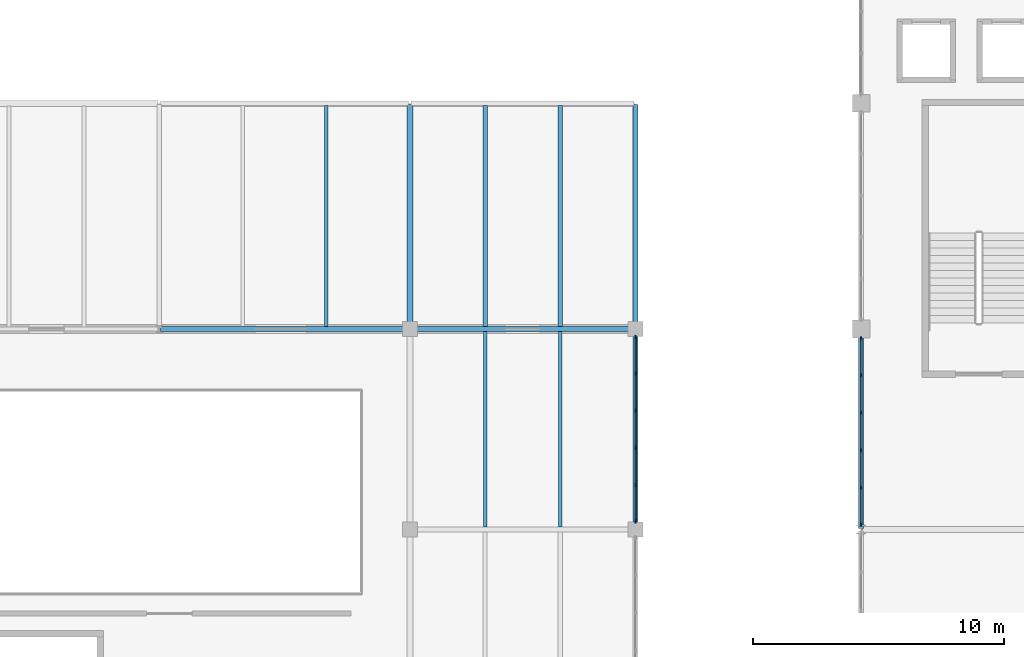
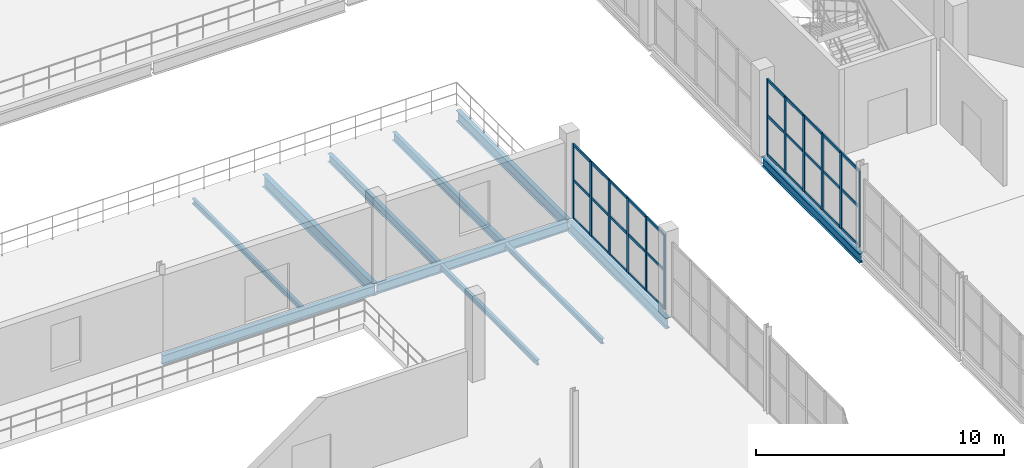
# One storey, part 19 of 73: 42 members, 11 beams, 2 elements without a shape of their own.
"""IFC4 building model written with IfcOpenShell, lengths in metres."""

from ifc_helpers import new_model, si_unit, direction, frame, origin, origin_2d, place, context, subcontext, project, spatial, rectangle, i_section, extrude, material, layer, layer_set, material_profile, profile_set, type_object, element, aggregate, save


model = new_model("IFC4")

# Units and contexts
model_context = context("Model", 3, precision=1e-05, world=origin(), true_north=direction((0.0, 1.0)))
body_context = subcontext(model_context, "Body", "Model", "MODEL_VIEW")
ifc_project = project(units=[si_unit("LENGTHUNIT", "METRE"), si_unit("AREAUNIT", "SQUARE_METRE"), si_unit("VOLUMEUNIT", "CUBIC_METRE"), si_unit("PLANEANGLEUNIT", "RADIAN"), si_unit("MASSUNIT", "GRAM", prefix="KILO")], contexts=[model_context])

# Site, building, storey
site_placement = place(None, origin())
site = spatial("IfcSite", under=ifc_project, at=site_placement, CompositionType="ELEMENT")
building_placement = place(site_placement, origin())
building = spatial("IfcBuilding", under=site, at=building_placement, Name="Marnock Terrace Opera House", CompositionType="ELEMENT")
storey_placement = place(building_placement, frame((0.0, 0.0, 14.699951171875)))
storey = spatial("IfcBuildingStorey", under=building, at=storey_placement, Name="L03", CompositionType="ELEMENT", Elevation=14.699951171875)

# Beams
ifc_material_1 = material(Name="Steel Grade 350 (AS/NZS 3679.1)", Category="steel")
ifc_material_profile_1 = material_profile(ifc_material_1, i_section(OverallWidth=0.19091796875, OverallDepth=0.46044921875, WebThickness=0.010009765625, FlangeThickness=0.01611328125, FilletRadius=0.011474609375, at=origin_2d()))
ifc_profile_set_1 = profile_set([ifc_material_profile_1], Name="Steel Grade 350 (AS/NZS 3679.1)")
beam_type_1 = type_object("IfcBeamType", Name="BM-GIRD-460A", PredefinedType="BEAM", material=ifc_profile_set_1)
beam_1_placement = place(storey_placement, frame((27.050048828125, 48.0, -0.500244140625), z_axis=(1.0, 0.0, 0.0), x_axis=(0.0, 1.0, 0.0)))
element("IfcBeam", 1, at=beam_1_placement, inside=storey, type_object=beam_type_1, Name="L03 girder (27.0..37.0, Y=48.0)", PredefinedType="BEAM", context=body_context, shape_type="SweptSolid", body=[
    extrude(i_section(OverallWidth=0.19091796875, OverallDepth=0.46044921875, WebThickness=0.010009765625, FlangeThickness=0.01611328125, FilletRadius=0.011474609375, at=origin_2d()), origin(), (0.0, 0.0, 1.0), 9.89990234375),
])
beam_2_placement = place(storey_placement, frame((37.050048828125, 48.0, -0.500244140625), z_axis=(1.0, 0.0, 0.0), x_axis=(0.0, 1.0, 0.0)))
element("IfcBeam", 2, at=beam_2_placement, inside=storey, type_object=beam_type_1, Name="L03 girder (37.0..46.0, Y=48.0)", PredefinedType="BEAM", context=body_context, shape_type="SweptSolid", body=[
    extrude(i_section(OverallWidth=0.19091796875, OverallDepth=0.46044921875, WebThickness=0.010009765625, FlangeThickness=0.01611328125, FilletRadius=0.011474609375, at=origin_2d()), origin(), (0.0, 0.0, 1.0), 8.89990234375),
])
ifc_material_profile_2 = material_profile(ifc_material_1, i_section(OverallWidth=0.18994140625, OverallDepth=0.45751953125, WebThickness=0.009033203125, FlangeThickness=0.014404296875, FilletRadius=0.011474609375, at=origin_2d()))
ifc_profile_set_2 = profile_set([ifc_material_profile_2], Name="Steel Grade 350 (AS/NZS 3679.1)")
beam_type_2 = type_object("IfcBeamType", Name="BM-GIRD-460B", PredefinedType="BEAM", material=ifc_profile_set_2)
beam_3_placement = place(storey_placement, frame((55.0, 40.050048828125, -0.48876953125), z_axis=(0.0, 1.0, 0.0), x_axis=(-1.0, 0.0, 0.0)))
element("IfcBeam", 3, at=beam_3_placement, inside=storey, type_object=beam_type_2, Name="L03 girder (X=55.0, 40.0..48.0)", PredefinedType="BEAM", context=body_context, shape_type="SweptSolid", body=[
    extrude(i_section(OverallWidth=0.18994140625, OverallDepth=0.45751953125, WebThickness=0.009033203125, FlangeThickness=0.014404296875, FilletRadius=0.011474609375, at=origin_2d()), origin(), (0.0, 0.0, 1.0), 7.89990234375),
])
ifc_material_profile_3 = material_profile(ifc_material_1, i_section(OverallWidth=0.208984375, OverallDepth=0.528076171875, WebThickness=0.009521484375, FlangeThickness=0.01318359375, FilletRadius=0.013916015625, at=origin_2d()))
ifc_profile_set_3 = profile_set([ifc_material_profile_3], Name="Steel Grade 350 (AS/NZS 3679.1)")
beam_type_3 = type_object("IfcBeamType", Name="BM-GIRD-530B", PredefinedType="BEAM", material=ifc_profile_set_3)
beam_4_placement = place(storey_placement, frame((46.0, 40.050048828125, -0.533935546875), z_axis=(0.0, 1.0, 0.0), x_axis=(-1.0, 0.0, 0.0)))
element("IfcBeam", 4, at=beam_4_placement, inside=storey, type_object=beam_type_3, Name="L03 girder (X=46.0, 40.0..48.0)", PredefinedType="BEAM", context=body_context, shape_type="SweptSolid", body=[
    extrude(i_section(OverallWidth=0.208984375, OverallDepth=0.528076171875, WebThickness=0.009521484375, FlangeThickness=0.01318359375, FilletRadius=0.013916015625, at=origin_2d()), origin(), (0.0, 0.0, 1.0), 7.89990234375),
])
beam_5_placement = place(storey_placement, frame((46.0, 48.050048828125, -0.533935546875), z_axis=(0.0, 1.0, 0.0), x_axis=(-1.0, 0.0, 0.0)))
element("IfcBeam", 5, at=beam_5_placement, inside=storey, type_object=beam_type_3, Name="L03 girder (X=46.0, 48.0..57.0)", PredefinedType="BEAM", context=body_context, shape_type="SweptSolid", body=[
    extrude(i_section(OverallWidth=0.208984375, OverallDepth=0.528076171875, WebThickness=0.009521484375, FlangeThickness=0.01318359375, FilletRadius=0.013916015625, at=origin_2d()), origin(), (0.0, 0.0, 1.0), 8.89990234375),
])
ifc_material_profile_4 = material_profile(ifc_material_1, i_section(OverallWidth=0.22802734375, OverallDepth=0.60205078125, WebThickness=0.010498046875, FlangeThickness=0.014892578125, FilletRadius=0.013916015625, at=origin_2d()))
ifc_profile_set_4 = profile_set([ifc_material_profile_4], Name="Steel Grade 350 (AS/NZS 3679.1)")
beam_type_4 = type_object("IfcBeamType", Name="BM-GIRD-610C", PredefinedType="BEAM", material=ifc_profile_set_4)
beam_6_placement = place(storey_placement, frame((37.0, 48.050048828125, -0.571044921875), z_axis=(0.0, 1.0, 0.0), x_axis=(-1.0, 0.0, 0.0)))
element("IfcBeam", 6, at=beam_6_placement, inside=storey, type_object=beam_type_4, Name="L03 girder (X=37.0, 48.0..57.0)", PredefinedType="BEAM", context=body_context, shape_type="SweptSolid", body=[
    extrude(i_section(OverallWidth=0.22802734375, OverallDepth=0.60205078125, WebThickness=0.010498046875, FlangeThickness=0.014892578125, FilletRadius=0.013916015625, at=origin_2d()), origin(), (0.0, 0.0, 1.0), 8.89990234375),
])
ifc_material_profile_5 = material_profile(ifc_material_1, i_section(OverallWidth=0.14599609375, OverallDepth=0.256103515625, WebThickness=0.00634765625, FlangeThickness=0.010986328125, FilletRadius=0.0087890625, at=origin_2d()))
ifc_profile_set_5 = profile_set([ifc_material_profile_5], Name="Steel Grade 350 (AS/NZS 3679.1)")
beam_type_5 = type_object("IfcBeamType", Name="BM-JOIST-250", PredefinedType="JOIST", material=ifc_profile_set_5)
beam_7_placement = place(storey_placement, frame((33.666748046875, 48.090576171875, -0.39794921875), z_axis=(0.0, 1.0, 0.0), x_axis=(-1.0, 0.0, 0.0)))
element("IfcBeam", 7, at=beam_7_placement, inside=storey, type_object=beam_type_5, Name="L03 secondary joist 3.6.2", PredefinedType="JOIST", context=body_context, shape_type="SweptSolid", body=[
    extrude(i_section(OverallWidth=0.14599609375, OverallDepth=0.256103515625, WebThickness=0.00634765625, FlangeThickness=0.010986328125, FilletRadius=0.0087890625, at=origin_2d()), origin(), (0.0, 0.0, 1.0), 8.825439453125),
])
for number, where, z_axis, x_axis, name in (
    (8, (40.0, 40.099609375, -0.39794921875), (0.0, 1.0, 0.0), (-1.0, 0.0, 0.0), "L03 secondary joist 4.5.1"),
    (9, (43.0, 40.099609375, -0.39794921875), (0.0, 1.0, 0.0), (-1.0, 0.0, 0.0), "L03 secondary joist 4.5.2"),
):
    element("IfcBeam", number, at=place(storey_placement, frame(where, z_axis=z_axis, x_axis=x_axis)), inside=storey, type_object=beam_type_5, Name=name, PredefinedType="JOIST", context=body_context, shape_type="SweptSolid", body=[
        extrude(i_section(OverallWidth=0.14599609375, OverallDepth=0.256103515625, WebThickness=0.00634765625, FlangeThickness=0.010986328125, FilletRadius=0.0087890625, at=origin_2d()), origin(), (0.0, 0.0, 1.0), 7.809814453125),
    ])
ifc_material_profile_6 = material_profile(ifc_material_1, i_section(OverallWidth=0.177978515625, OverallDepth=0.406494140625, WebThickness=0.0078125, FlangeThickness=0.0126953125, FilletRadius=0.011474609375, at=origin_2d()))
ifc_profile_set_6 = profile_set([ifc_material_profile_6], Name="Steel Grade 350 (AS/NZS 3679.1)")
beam_type_6 = type_object("IfcBeamType", Name="BM-JOIST-410", PredefinedType="JOIST", material=ifc_profile_set_6)
for number, where, z_axis, x_axis, name in (
    (10, (40.0, 48.090576171875, -0.47314453125), (0.0, 1.0, 0.0), (-1.0, 0.0, 0.0), "L03 secondary joist 4.6.1"),
    (11, (43.0, 48.090576171875, -0.47314453125), (0.0, 1.0, 0.0), (-1.0, 0.0, 0.0), "L03 secondary joist 4.6.2"),
):
    element("IfcBeam", number, at=place(storey_placement, frame(where, z_axis=z_axis, x_axis=x_axis)), inside=storey, type_object=beam_type_6, Name=name, PredefinedType="JOIST", context=body_context, shape_type="SweptSolid", body=[
        extrude(i_section(OverallWidth=0.177978515625, OverallDepth=0.406494140625, WebThickness=0.0078125, FlangeThickness=0.0126953125, FilletRadius=0.011474609375, at=origin_2d()), origin(), (0.0, 0.0, 1.0), 8.825439453125),
    ])

# Curtain wall, members
ifc_material_2 = material(Name="Anodised architectural bronze aluminium framing", Category="aluminium")
ifc_layer_1 = layer(ifc_material_2, 0.159912109375)
ifc_layer_set_1 = layer_set([ifc_layer_1], Name="Anodised architectural bronze aluminium framing")
curtain_wall_type_1 = type_object("IfcCurtainWallType", Name="CW-FOYER-80x42", PredefinedType="NOTDEFINED", material=ifc_layer_set_1)
curtain_wall_1_placement = place(storey_placement, origin())
curtain_wall_1 = element("IfcCurtainWall", 12, at=curtain_wall_1_placement, inside=storey, type_object=curtain_wall_type_1, Name="L03 glazed Beaux-Arts colonnade curtain wall CW-V1W-L03-05", PredefinedType="NOTDEFINED")
ifc_material_profile_7 = material_profile(ifc_material_2, rectangle(XDim=0.06005859375, YDim=0.14990234375, at=origin_2d()))
ifc_profile_set_7 = profile_set([ifc_material_profile_7], Name="Anodised architectural bronze aluminium framing")
member_type_1 = type_object("IfcMemberType", Name="CWM-60x150", PredefinedType="MULLION", material=ifc_profile_set_7)
member_1_placement = place(storey_placement, frame((55.0, 40.200927734375, 0.0), z_axis=(0.0, 0.0, 1.0), x_axis=(-1.0, 0.0, 0.0)))
member_1 = element("IfcMember", 13, at=member_1_placement, type_object=member_type_1, Name="CW-62 mullion 1", PredefinedType="MULLION", context=body_context, shape_type="SweptSolid", body=[
    extrude(rectangle(XDim=0.06005859375, YDim=0.14990234375, at=origin_2d()), origin(), (0.0, 0.0, 1.0), 3.74267578125),
])
member_2_placement = place(storey_placement, frame((55.0, 41.66748046875, 0.0), z_axis=(0.0, 0.0, 1.0), x_axis=(-1.0, 0.0, 0.0)))
member_2 = element("IfcMember", 14, at=member_2_placement, type_object=member_type_1, Name="CW-62 mullion 2", PredefinedType="MULLION", context=body_context, shape_type="SweptSolid", body=[
    extrude(rectangle(XDim=0.06005859375, YDim=0.14990234375, at=origin_2d()), origin(), (0.0, 0.0, 1.0), 3.74267578125),
])
member_3_placement = place(storey_placement, frame((55.0, 43.164306640625, 0.0), z_axis=(0.0, 0.0, 1.0), x_axis=(-1.0, 0.0, 0.0)))
member_3 = element("IfcMember", 15, at=member_3_placement, type_object=member_type_1, Name="CW-62 mullion 3", PredefinedType="MULLION", context=body_context, shape_type="SweptSolid", body=[
    extrude(rectangle(XDim=0.06005859375, YDim=0.14990234375, at=origin_2d()), origin(), (0.0, 0.0, 1.0), 3.74267578125),
])
member_4_placement = place(storey_placement, frame((55.0, 44.660888671875, 0.0), z_axis=(0.0, 0.0, 1.0), x_axis=(-1.0, 0.0, 0.0)))
member_4 = element("IfcMember", 16, at=member_4_placement, type_object=member_type_1, Name="CW-62 mullion 4", PredefinedType="MULLION", context=body_context, shape_type="SweptSolid", body=[
    extrude(rectangle(XDim=0.06005859375, YDim=0.14990234375, at=origin_2d()), origin(), (0.0, 0.0, 1.0), 3.74267578125),
])
member_5_placement = place(storey_placement, frame((55.0, 46.157470703125, 0.0), z_axis=(0.0, 0.0, 1.0), x_axis=(-1.0, 0.0, 0.0)))
member_5 = element("IfcMember", 17, at=member_5_placement, type_object=member_type_1, Name="CW-62 mullion 5", PredefinedType="MULLION", context=body_context, shape_type="SweptSolid", body=[
    extrude(rectangle(XDim=0.06005859375, YDim=0.14990234375, at=origin_2d()), origin(), (0.0, 0.0, 1.0), 3.74267578125),
])
member_6_placement = place(storey_placement, frame((55.0, 47.6240234375, 0.0), z_axis=(0.0, 0.0, 1.0), x_axis=(-1.0, 0.0, 0.0)))
member_6 = element("IfcMember", 18, at=member_6_placement, type_object=member_type_1, Name="CW-62 mullion 6", PredefinedType="MULLION", context=body_context, shape_type="SweptSolid", body=[
    extrude(rectangle(XDim=0.06005859375, YDim=0.14990234375, at=origin_2d()), origin(), (0.0, 0.0, 1.0), 3.74267578125),
])

ifc_layer_2 = layer(ifc_material_2, 0.159912109375)
ifc_layer_set_2 = layer_set([ifc_layer_2], Name="Anodised architectural bronze aluminium framing")
curtain_wall_type_2 = type_object("IfcCurtainWallType", Name="CW-COURT-80x42", PredefinedType="NOTDEFINED", material=ifc_layer_set_2)
curtain_wall_2_placement = place(storey_placement, origin())
curtain_wall_2 = element("IfcCurtainWall", 19, at=curtain_wall_2_placement, inside=storey, type_object=curtain_wall_type_2, Name="L03 glazed Beaux-Arts colonnade curtain wall CW-V3E-L03-05", PredefinedType="NOTDEFINED")
member_7_placement = place(storey_placement, frame((46.0, 40.325927734375, 0.0), z_axis=(0.0, 0.0, 1.0), x_axis=(-1.0, 0.0, 0.0)))
member_7 = element("IfcMember", 20, at=member_7_placement, type_object=member_type_1, Name="CW-12 mullion 1", PredefinedType="MULLION", context=body_context, shape_type="SweptSolid", body=[
    extrude(rectangle(XDim=0.06005859375, YDim=0.14990234375, at=origin_2d()), origin(), (0.0, 0.0, 1.0), 3.672119140625),
])
member_8_placement = place(storey_placement, frame((46.0, 41.777587890625, 0.0), z_axis=(0.0, 0.0, 1.0), x_axis=(-1.0, 0.0, 0.0)))
member_8 = element("IfcMember", 21, at=member_8_placement, type_object=member_type_1, Name="CW-12 mullion 2", PredefinedType="MULLION", context=body_context, shape_type="SweptSolid", body=[
    extrude(rectangle(XDim=0.06005859375, YDim=0.14990234375, at=origin_2d()), origin(), (0.0, 0.0, 1.0), 3.672119140625),
])
member_9_placement = place(storey_placement, frame((46.0, 43.25927734375, 0.0), z_axis=(0.0, 0.0, 1.0), x_axis=(-1.0, 0.0, 0.0)))
member_9 = element("IfcMember", 22, at=member_9_placement, type_object=member_type_1, Name="CW-12 mullion 3", PredefinedType="MULLION", context=body_context, shape_type="SweptSolid", body=[
    extrude(rectangle(XDim=0.06005859375, YDim=0.14990234375, at=origin_2d()), origin(), (0.0, 0.0, 1.0), 3.672119140625),
])
member_10_placement = place(storey_placement, frame((46.0, 44.74072265625, 0.0), z_axis=(0.0, 0.0, 1.0), x_axis=(-1.0, 0.0, 0.0)))
member_10 = element("IfcMember", 23, at=member_10_placement, type_object=member_type_1, Name="CW-12 mullion 4", PredefinedType="MULLION", context=body_context, shape_type="SweptSolid", body=[
    extrude(rectangle(XDim=0.06005859375, YDim=0.14990234375, at=origin_2d()), origin(), (0.0, 0.0, 1.0), 3.672119140625),
])
member_11_placement = place(storey_placement, frame((46.0, 46.222412109375, 0.0), z_axis=(0.0, 0.0, 1.0), x_axis=(-1.0, 0.0, 0.0)))
member_11 = element("IfcMember", 24, at=member_11_placement, type_object=member_type_1, Name="CW-12 mullion 5", PredefinedType="MULLION", context=body_context, shape_type="SweptSolid", body=[
    extrude(rectangle(XDim=0.06005859375, YDim=0.14990234375, at=origin_2d()), origin(), (0.0, 0.0, 1.0), 3.672119140625),
])
member_12_placement = place(storey_placement, frame((46.0, 47.674072265625, 0.0), z_axis=(0.0, 0.0, 1.0), x_axis=(-1.0, 0.0, 0.0)))
member_12 = element("IfcMember", 25, at=member_12_placement, type_object=member_type_1, Name="CW-12 mullion 6", PredefinedType="MULLION", context=body_context, shape_type="SweptSolid", body=[
    extrude(rectangle(XDim=0.06005859375, YDim=0.14990234375, at=origin_2d()), origin(), (0.0, 0.0, 1.0), 3.672119140625),
])

# Member
ifc_material_profile_8 = material_profile(ifc_material_2, rectangle(XDim=0.06005859375, YDim=0.1298828125, at=origin_2d()))
ifc_profile_set_8 = profile_set([ifc_material_profile_8], Name="Anodised architectural bronze aluminium framing")
member_type_2 = type_object("IfcMemberType", Name="CWT-60x130", PredefinedType="USERDEFINED", material=ifc_profile_set_8)
member_13_placement = place(storey_placement, frame((55.0, 40.23095703125, 0.030029296875), z_axis=(0.0, 1.0, 0.0), x_axis=(-1.0, 0.0, 0.0)))
member_13 = element("IfcMember", 26, at=member_13_placement, type_object=member_type_2, Name="CW-62 transom 1.1", ObjectType="TRANSOM", PredefinedType="USERDEFINED", context=body_context, shape_type="SweptSolid", body=[
    extrude(rectangle(XDim=0.06005859375, YDim=0.1298828125, at=origin_2d()), origin(), (0.0, 0.0, 1.0), 1.40673828125),
])

member_14_placement = place(storey_placement, frame((55.0, 40.23095703125, 1.9462890625), z_axis=(0.0, 1.0, 0.0), x_axis=(-1.0, 0.0, 0.0)))
member_14 = element("IfcMember", 27, at=member_14_placement, type_object=member_type_2, Name="CW-62 transom 1.2", ObjectType="TRANSOM", PredefinedType="USERDEFINED", context=body_context, shape_type="SweptSolid", body=[
    extrude(rectangle(XDim=0.06005859375, YDim=0.1298828125, at=origin_2d()), origin(), (0.0, 0.0, 1.0), 1.40673828125),
])

member_15_placement = place(storey_placement, frame((55.0, 40.23095703125, 3.712646484375), z_axis=(0.0, 1.0, 0.0), x_axis=(-1.0, 0.0, 0.0)))
member_15 = element("IfcMember", 28, at=member_15_placement, type_object=member_type_2, Name="CW-62 transom 1.3", ObjectType="TRANSOM", PredefinedType="USERDEFINED", context=body_context, shape_type="SweptSolid", body=[
    extrude(rectangle(XDim=0.06005859375, YDim=0.1298828125, at=origin_2d()), origin(), (0.0, 0.0, 1.0), 1.40673828125),
])

member_16_placement = place(storey_placement, frame((55.0, 41.697509765625, 0.030029296875), z_axis=(0.0, 1.0, 0.0), x_axis=(-1.0, 0.0, 0.0)))
member_16 = element("IfcMember", 29, at=member_16_placement, type_object=member_type_2, Name="CW-62 transom 2.1", ObjectType="TRANSOM", PredefinedType="USERDEFINED", context=body_context, shape_type="SweptSolid", body=[
    extrude(rectangle(XDim=0.06005859375, YDim=0.1298828125, at=origin_2d()), origin(), (0.0, 0.0, 1.0), 1.436767578125),
])

member_17_placement = place(storey_placement, frame((55.0, 41.697509765625, 1.9462890625), z_axis=(0.0, 1.0, 0.0), x_axis=(-1.0, 0.0, 0.0)))
member_17 = element("IfcMember", 30, at=member_17_placement, type_object=member_type_2, Name="CW-62 transom 2.2", ObjectType="TRANSOM", PredefinedType="USERDEFINED", context=body_context, shape_type="SweptSolid", body=[
    extrude(rectangle(XDim=0.06005859375, YDim=0.1298828125, at=origin_2d()), origin(), (0.0, 0.0, 1.0), 1.436767578125),
])

member_18_placement = place(storey_placement, frame((55.0, 41.697509765625, 3.712646484375), z_axis=(0.0, 1.0, 0.0), x_axis=(-1.0, 0.0, 0.0)))
member_18 = element("IfcMember", 31, at=member_18_placement, type_object=member_type_2, Name="CW-62 transom 2.3", ObjectType="TRANSOM", PredefinedType="USERDEFINED", context=body_context, shape_type="SweptSolid", body=[
    extrude(rectangle(XDim=0.06005859375, YDim=0.1298828125, at=origin_2d()), origin(), (0.0, 0.0, 1.0), 1.436767578125),
])

member_19_placement = place(storey_placement, frame((55.0, 43.194091796875, 0.030029296875), z_axis=(0.0, 1.0, 0.0), x_axis=(-1.0, 0.0, 0.0)))
member_19 = element("IfcMember", 32, at=member_19_placement, type_object=member_type_2, Name="CW-62 transom 3.1", ObjectType="TRANSOM", PredefinedType="USERDEFINED", context=body_context, shape_type="SweptSolid", body=[
    extrude(rectangle(XDim=0.06005859375, YDim=0.1298828125, at=origin_2d()), origin(), (0.0, 0.0, 1.0), 1.436767578125),
])

member_20_placement = place(storey_placement, frame((55.0, 43.194091796875, 1.9462890625), z_axis=(0.0, 1.0, 0.0), x_axis=(-1.0, 0.0, 0.0)))
member_20 = element("IfcMember", 33, at=member_20_placement, type_object=member_type_2, Name="CW-62 transom 3.2", ObjectType="TRANSOM", PredefinedType="USERDEFINED", context=body_context, shape_type="SweptSolid", body=[
    extrude(rectangle(XDim=0.06005859375, YDim=0.1298828125, at=origin_2d()), origin(), (0.0, 0.0, 1.0), 1.436767578125),
])

member_21_placement = place(storey_placement, frame((55.0, 43.194091796875, 3.712646484375), z_axis=(0.0, 1.0, 0.0), x_axis=(-1.0, 0.0, 0.0)))
member_21 = element("IfcMember", 34, at=member_21_placement, type_object=member_type_2, Name="CW-62 transom 3.3", ObjectType="TRANSOM", PredefinedType="USERDEFINED", context=body_context, shape_type="SweptSolid", body=[
    extrude(rectangle(XDim=0.06005859375, YDim=0.1298828125, at=origin_2d()), origin(), (0.0, 0.0, 1.0), 1.436767578125),
])

member_22_placement = place(storey_placement, frame((55.0, 44.69091796875, 0.030029296875), z_axis=(0.0, 1.0, 0.0), x_axis=(-1.0, 0.0, 0.0)))
member_22 = element("IfcMember", 35, at=member_22_placement, type_object=member_type_2, Name="CW-62 transom 4.1", ObjectType="TRANSOM", PredefinedType="USERDEFINED", context=body_context, shape_type="SweptSolid", body=[
    extrude(rectangle(XDim=0.06005859375, YDim=0.1298828125, at=origin_2d()), origin(), (0.0, 0.0, 1.0), 1.4365234375),
])

member_23_placement = place(storey_placement, frame((55.0, 44.69091796875, 1.9462890625), z_axis=(0.0, 1.0, 0.0), x_axis=(-1.0, 0.0, 0.0)))
member_23 = element("IfcMember", 36, at=member_23_placement, type_object=member_type_2, Name="CW-62 transom 4.2", ObjectType="TRANSOM", PredefinedType="USERDEFINED", context=body_context, shape_type="SweptSolid", body=[
    extrude(rectangle(XDim=0.06005859375, YDim=0.1298828125, at=origin_2d()), origin(), (0.0, 0.0, 1.0), 1.4365234375),
])

member_24_placement = place(storey_placement, frame((55.0, 44.69091796875, 3.712646484375), z_axis=(0.0, 1.0, 0.0), x_axis=(-1.0, 0.0, 0.0)))
member_24 = element("IfcMember", 37, at=member_24_placement, type_object=member_type_2, Name="CW-62 transom 4.3", ObjectType="TRANSOM", PredefinedType="USERDEFINED", context=body_context, shape_type="SweptSolid", body=[
    extrude(rectangle(XDim=0.06005859375, YDim=0.1298828125, at=origin_2d()), origin(), (0.0, 0.0, 1.0), 1.4365234375),
])

member_25_placement = place(storey_placement, frame((55.0, 46.1875, 0.030029296875), z_axis=(0.0, 1.0, 0.0), x_axis=(-1.0, 0.0, 0.0)))
member_25 = element("IfcMember", 38, at=member_25_placement, type_object=member_type_2, Name="CW-62 transom 5.1", ObjectType="TRANSOM", PredefinedType="USERDEFINED", context=body_context, shape_type="SweptSolid", body=[
    extrude(rectangle(XDim=0.06005859375, YDim=0.1298828125, at=origin_2d()), origin(), (0.0, 0.0, 1.0), 1.406494140625),
])

member_26_placement = place(storey_placement, frame((55.0, 46.1875, 1.9462890625), z_axis=(0.0, 1.0, 0.0), x_axis=(-1.0, 0.0, 0.0)))
member_26 = element("IfcMember", 39, at=member_26_placement, type_object=member_type_2, Name="CW-62 transom 5.2", ObjectType="TRANSOM", PredefinedType="USERDEFINED", context=body_context, shape_type="SweptSolid", body=[
    extrude(rectangle(XDim=0.06005859375, YDim=0.1298828125, at=origin_2d()), origin(), (0.0, 0.0, 1.0), 1.406494140625),
])

member_27_placement = place(storey_placement, frame((55.0, 46.1875, 3.712646484375), z_axis=(0.0, 1.0, 0.0), x_axis=(-1.0, 0.0, 0.0)))
member_27 = element("IfcMember", 40, at=member_27_placement, type_object=member_type_2, Name="CW-62 transom 5.3", ObjectType="TRANSOM", PredefinedType="USERDEFINED", context=body_context, shape_type="SweptSolid", body=[
    extrude(rectangle(XDim=0.06005859375, YDim=0.1298828125, at=origin_2d()), origin(), (0.0, 0.0, 1.0), 1.406494140625),
])

aggregate(curtain_wall_1, [member_1, member_2, member_3, member_4, member_5, member_6, member_13, member_14, member_15, member_16, member_17, member_18, member_19, member_20, member_21, member_22, member_23, member_24, member_25, member_26, member_27])

member_28_placement = place(storey_placement, frame((46.0, 40.35595703125, 0.030029296875), z_axis=(0.0, 1.0, 0.0), x_axis=(-1.0, 0.0, 0.0)))
member_28 = element("IfcMember", 41, at=member_28_placement, type_object=member_type_2, Name="CW-12 transom 1.1", ObjectType="TRANSOM", PredefinedType="USERDEFINED", context=body_context, shape_type="SweptSolid", body=[
    extrude(rectangle(XDim=0.06005859375, YDim=0.1298828125, at=origin_2d()), origin(), (0.0, 0.0, 1.0), 1.3916015625),
])

member_29_placement = place(storey_placement, frame((46.0, 40.35595703125, 1.909423828125), z_axis=(0.0, 1.0, 0.0), x_axis=(-1.0, 0.0, 0.0)))
member_29 = element("IfcMember", 42, at=member_29_placement, type_object=member_type_2, Name="CW-12 transom 1.2", ObjectType="TRANSOM", PredefinedType="USERDEFINED", context=body_context, shape_type="SweptSolid", body=[
    extrude(rectangle(XDim=0.06005859375, YDim=0.1298828125, at=origin_2d()), origin(), (0.0, 0.0, 1.0), 1.3916015625),
])

member_30_placement = place(storey_placement, frame((46.0, 40.35595703125, 3.64208984375), z_axis=(0.0, 1.0, 0.0), x_axis=(-1.0, 0.0, 0.0)))
member_30 = element("IfcMember", 43, at=member_30_placement, type_object=member_type_2, Name="CW-12 transom 1.3", ObjectType="TRANSOM", PredefinedType="USERDEFINED", context=body_context, shape_type="SweptSolid", body=[
    extrude(rectangle(XDim=0.06005859375, YDim=0.1298828125, at=origin_2d()), origin(), (0.0, 0.0, 1.0), 1.3916015625),
])

member_31_placement = place(storey_placement, frame((46.0, 41.8076171875, 0.030029296875), z_axis=(0.0, 1.0, 0.0), x_axis=(-1.0, 0.0, 0.0)))
member_31 = element("IfcMember", 44, at=member_31_placement, type_object=member_type_2, Name="CW-12 transom 2.1", ObjectType="TRANSOM", PredefinedType="USERDEFINED", context=body_context, shape_type="SweptSolid", body=[
    extrude(rectangle(XDim=0.06005859375, YDim=0.1298828125, at=origin_2d()), origin(), (0.0, 0.0, 1.0), 1.421630859375),
])

member_32_placement = place(storey_placement, frame((46.0, 41.8076171875, 1.909423828125), z_axis=(0.0, 1.0, 0.0), x_axis=(-1.0, 0.0, 0.0)))
member_32 = element("IfcMember", 45, at=member_32_placement, type_object=member_type_2, Name="CW-12 transom 2.2", ObjectType="TRANSOM", PredefinedType="USERDEFINED", context=body_context, shape_type="SweptSolid", body=[
    extrude(rectangle(XDim=0.06005859375, YDim=0.1298828125, at=origin_2d()), origin(), (0.0, 0.0, 1.0), 1.421630859375),
])

member_33_placement = place(storey_placement, frame((46.0, 41.8076171875, 3.64208984375), z_axis=(0.0, 1.0, 0.0), x_axis=(-1.0, 0.0, 0.0)))
member_33 = element("IfcMember", 46, at=member_33_placement, type_object=member_type_2, Name="CW-12 transom 2.3", ObjectType="TRANSOM", PredefinedType="USERDEFINED", context=body_context, shape_type="SweptSolid", body=[
    extrude(rectangle(XDim=0.06005859375, YDim=0.1298828125, at=origin_2d()), origin(), (0.0, 0.0, 1.0), 1.421630859375),
])

member_34_placement = place(storey_placement, frame((46.0, 43.289306640625, 0.030029296875), z_axis=(0.0, 1.0, 0.0), x_axis=(-1.0, 0.0, 0.0)))
member_34 = element("IfcMember", 47, at=member_34_placement, type_object=member_type_2, Name="CW-12 transom 3.1", ObjectType="TRANSOM", PredefinedType="USERDEFINED", context=body_context, shape_type="SweptSolid", body=[
    extrude(rectangle(XDim=0.06005859375, YDim=0.1298828125, at=origin_2d()), origin(), (0.0, 0.0, 1.0), 1.42138671875),
])

member_35_placement = place(storey_placement, frame((46.0, 43.289306640625, 1.909423828125), z_axis=(0.0, 1.0, 0.0), x_axis=(-1.0, 0.0, 0.0)))
member_35 = element("IfcMember", 48, at=member_35_placement, type_object=member_type_2, Name="CW-12 transom 3.2", ObjectType="TRANSOM", PredefinedType="USERDEFINED", context=body_context, shape_type="SweptSolid", body=[
    extrude(rectangle(XDim=0.06005859375, YDim=0.1298828125, at=origin_2d()), origin(), (0.0, 0.0, 1.0), 1.42138671875),
])

member_36_placement = place(storey_placement, frame((46.0, 43.289306640625, 3.64208984375), z_axis=(0.0, 1.0, 0.0), x_axis=(-1.0, 0.0, 0.0)))
member_36 = element("IfcMember", 49, at=member_36_placement, type_object=member_type_2, Name="CW-12 transom 3.3", ObjectType="TRANSOM", PredefinedType="USERDEFINED", context=body_context, shape_type="SweptSolid", body=[
    extrude(rectangle(XDim=0.06005859375, YDim=0.1298828125, at=origin_2d()), origin(), (0.0, 0.0, 1.0), 1.42138671875),
])

member_37_placement = place(storey_placement, frame((46.0, 44.770751953125, 0.030029296875), z_axis=(0.0, 1.0, 0.0), x_axis=(-1.0, 0.0, 0.0)))
member_37 = element("IfcMember", 50, at=member_37_placement, type_object=member_type_2, Name="CW-12 transom 4.1", ObjectType="TRANSOM", PredefinedType="USERDEFINED", context=body_context, shape_type="SweptSolid", body=[
    extrude(rectangle(XDim=0.06005859375, YDim=0.1298828125, at=origin_2d()), origin(), (0.0, 0.0, 1.0), 1.421630859375),
])

member_38_placement = place(storey_placement, frame((46.0, 44.770751953125, 1.909423828125), z_axis=(0.0, 1.0, 0.0), x_axis=(-1.0, 0.0, 0.0)))
member_38 = element("IfcMember", 51, at=member_38_placement, type_object=member_type_2, Name="CW-12 transom 4.2", ObjectType="TRANSOM", PredefinedType="USERDEFINED", context=body_context, shape_type="SweptSolid", body=[
    extrude(rectangle(XDim=0.06005859375, YDim=0.1298828125, at=origin_2d()), origin(), (0.0, 0.0, 1.0), 1.421630859375),
])

member_39_placement = place(storey_placement, frame((46.0, 44.770751953125, 3.64208984375), z_axis=(0.0, 1.0, 0.0), x_axis=(-1.0, 0.0, 0.0)))
member_39 = element("IfcMember", 52, at=member_39_placement, type_object=member_type_2, Name="CW-12 transom 4.3", ObjectType="TRANSOM", PredefinedType="USERDEFINED", context=body_context, shape_type="SweptSolid", body=[
    extrude(rectangle(XDim=0.06005859375, YDim=0.1298828125, at=origin_2d()), origin(), (0.0, 0.0, 1.0), 1.421630859375),
])

member_40_placement = place(storey_placement, frame((46.0, 46.25244140625, 0.030029296875), z_axis=(0.0, 1.0, 0.0), x_axis=(-1.0, 0.0, 0.0)))
member_40 = element("IfcMember", 53, at=member_40_placement, type_object=member_type_2, Name="CW-12 transom 5.1", ObjectType="TRANSOM", PredefinedType="USERDEFINED", context=body_context, shape_type="SweptSolid", body=[
    extrude(rectangle(XDim=0.06005859375, YDim=0.1298828125, at=origin_2d()), origin(), (0.0, 0.0, 1.0), 1.3916015625),
])

member_41_placement = place(storey_placement, frame((46.0, 46.25244140625, 1.909423828125), z_axis=(0.0, 1.0, 0.0), x_axis=(-1.0, 0.0, 0.0)))
member_41 = element("IfcMember", 54, at=member_41_placement, type_object=member_type_2, Name="CW-12 transom 5.2", ObjectType="TRANSOM", PredefinedType="USERDEFINED", context=body_context, shape_type="SweptSolid", body=[
    extrude(rectangle(XDim=0.06005859375, YDim=0.1298828125, at=origin_2d()), origin(), (0.0, 0.0, 1.0), 1.3916015625),
])

member_42_placement = place(storey_placement, frame((46.0, 46.25244140625, 3.64208984375), z_axis=(0.0, 1.0, 0.0), x_axis=(-1.0, 0.0, 0.0)))
member_42 = element("IfcMember", 55, at=member_42_placement, type_object=member_type_2, Name="CW-12 transom 5.3", ObjectType="TRANSOM", PredefinedType="USERDEFINED", context=body_context, shape_type="SweptSolid", body=[
    extrude(rectangle(XDim=0.06005859375, YDim=0.1298828125, at=origin_2d()), origin(), (0.0, 0.0, 1.0), 1.3916015625),
])

aggregate(curtain_wall_2, [member_7, member_8, member_9, member_10, member_11, member_12, member_28, member_29, member_30, member_31, member_32, member_33, member_34, member_35, member_36, member_37, member_38, member_39, member_40, member_41, member_42])

save(model, "model.ifc")
